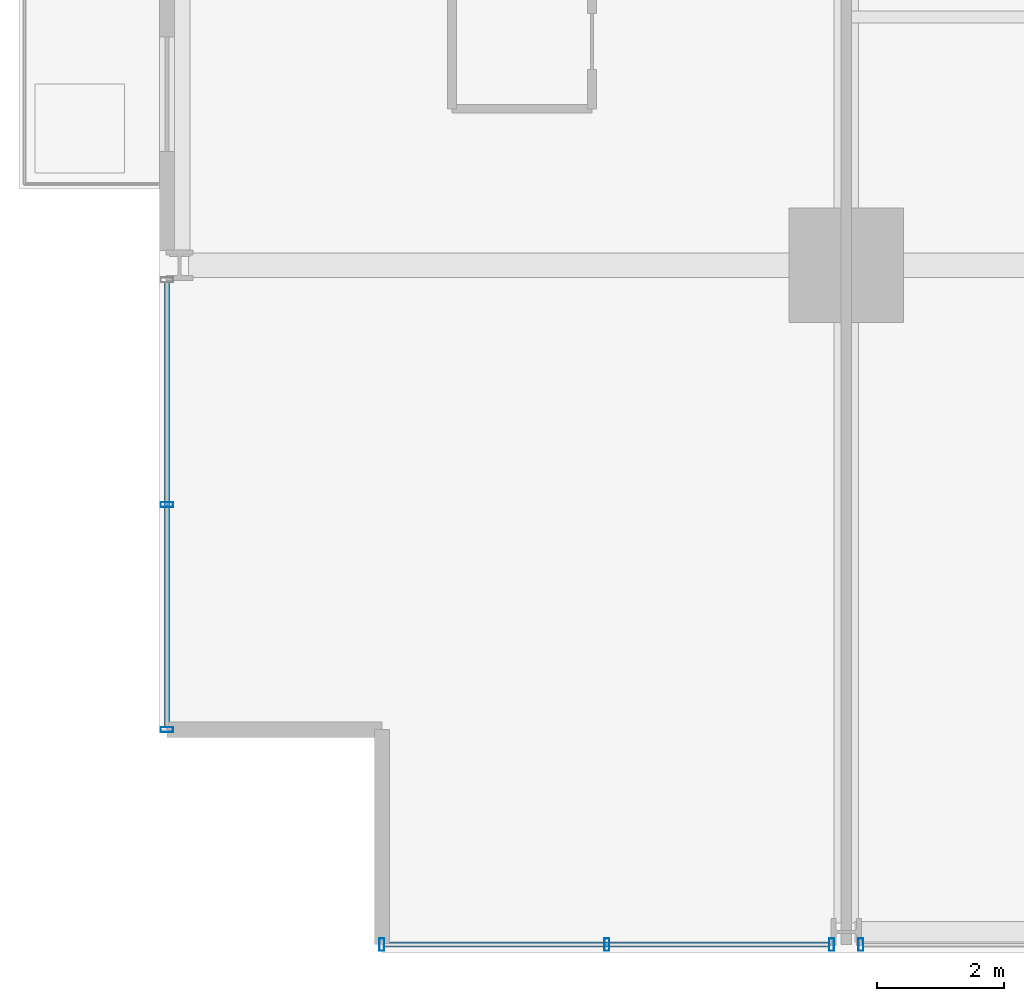
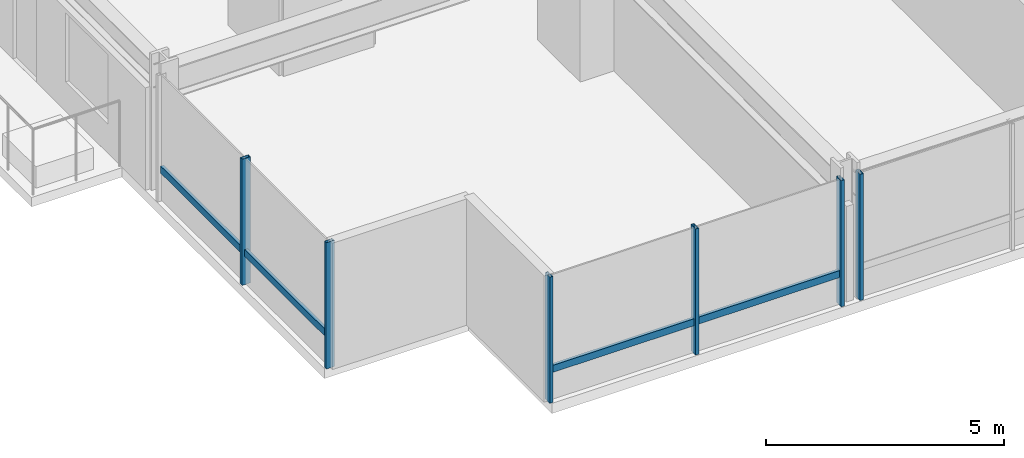
# One storey, part 2 of 37: 8 members, 3 elements without a shape of their own.
"""IFC4 building model written with IfcOpenShell, lengths in metres."""

from ifc_helpers import new_model, si_unit, direction, frame, origin, origin_2d, place, context, subcontext, project, spatial, hollow_rectangle, extrude, material, layer, layer_set, material_profile, profile_set, type_object, element, aggregate, save


model = new_model("IFC4")

# Units and contexts
model_context = context("Model", 3, precision=1e-05, world=origin(), true_north=direction((0.0, 1.0)))
body_context = subcontext(model_context, "Body", "Model", "MODEL_VIEW")
ifc_project = project(units=[si_unit("LENGTHUNIT", "METRE"), si_unit("AREAUNIT", "SQUARE_METRE"), si_unit("VOLUMEUNIT", "CUBIC_METRE"), si_unit("PLANEANGLEUNIT", "RADIAN"), si_unit("MASSUNIT", "GRAM", prefix="KILO")], contexts=[model_context])

# Site, building, storey
site_placement = place(None, origin())
site = spatial("IfcSite", under=ifc_project, at=site_placement, CompositionType="ELEMENT")
building_placement = place(site_placement, origin())
building = spatial("IfcBuilding", under=site, at=building_placement, Name="Drelvath Grand Hotel", CompositionType="ELEMENT")
storey_placement = place(building_placement, frame((0.0, 0.0, 75.199951171875)))
storey = spatial("IfcBuildingStorey", under=building, at=storey_placement, Name="L18", CompositionType="ELEMENT", Elevation=75.199951171875)

# Curtain wall, member
ifc_material = material(Name="Warm Bronze Anodised Aluminium Frame", Category="aluminium")
ifc_layer = layer(ifc_material, 0.199951171875)
ifc_layer_set = layer_set([ifc_layer], Name="Warm Bronze Anodised Aluminium Frame")
curtain_wall_type = type_object("IfcCurtainWallType", Name="Stick Curtain Wall CW-02 Warm Bronze Low-Rise", PredefinedType="NOTDEFINED", material=ifc_layer_set)
curtain_wall_1_placement = place(storey_placement, origin())
curtain_wall_1 = element("IfcCurtainWall", 1, at=curtain_wall_1_placement, inside=storey, type_object=curtain_wall_type, Name="L18 CW-02 Curtain Wall CW02-L18-WS1", PredefinedType="NOTDEFINED")
ifc_material_profile_1 = material_profile(ifc_material, hollow_rectangle(XDim=0.074951171875, YDim=0.179931640625, WallThickness=0.0048828125, at=origin_2d()), Name="HSS180X75X5")
ifc_profile_set_1 = profile_set([ifc_material_profile_1], Name="Warm Bronze Anodised Aluminium Frame")
member_type_1 = type_object("IfcMemberType", Name="Curtain Wall Horizontal Transom CW-02 HSS180X75X5", PredefinedType="USERDEFINED", material=ifc_profile_set_1)
member_1_placement = place(storey_placement, frame((-26.8798828125, 3.5400390625, 0.81005859375), z_axis=(0.0, 1.0, 0.0), x_axis=(-1.0, 0.0, 0.0)))
member_1 = element("IfcMember", 2, at=member_1_placement, type_object=member_type_1, Name="CW02-L18-WS1 Sill Transom", ObjectType="TRANSOM", PredefinedType="USERDEFINED", context=body_context, shape_type="SweptSolid", body=[
    extrude(hollow_rectangle(XDim=0.074951171875, YDim=0.179931640625, WallThickness=0.0048828125, at=origin_2d()), origin(), (0.0, 0.0, 1.0), 6.990966796875),
])

curtain_wall_2_placement = place(storey_placement, origin())
curtain_wall_2 = element("IfcCurtainWall", 3, at=curtain_wall_2_placement, inside=storey, type_object=curtain_wall_type, Name="L18 CW-02 Curtain Wall CW02-L18-SW1", PredefinedType="NOTDEFINED")
member_2_placement = place(storey_placement, frame((-16.468994140625, 0.1201171875, 0.81005859375), z_axis=(-1.0, 0.0, 0.0), x_axis=(0.0, -1.0, 0.0)))
member_2 = element("IfcMember", 4, at=member_2_placement, type_object=member_type_1, Name="CW02-L18-SW1 Sill Transom", ObjectType="TRANSOM", PredefinedType="USERDEFINED", context=body_context, shape_type="SweptSolid", body=[
    extrude(hollow_rectangle(XDim=0.074951171875, YDim=0.179931640625, WallThickness=0.0048828125, at=origin_2d()), origin(), (0.0, 0.0, 1.0), 6.990966796875),
])

# Member
ifc_material_profile_2 = material_profile(ifc_material, hollow_rectangle(XDim=0.080078125, YDim=0.199951171875, WallThickness=0.0048828125, at=origin_2d()), Name="HSS200X80X5")
ifc_profile_set_2 = profile_set([ifc_material_profile_2], Name="Warm Bronze Anodised Aluminium Frame")
member_type_2 = type_object("IfcMemberType", Name="Curtain Wall Vertical Mullion CW-02 HSS200X80X5", PredefinedType="MULLION", material=ifc_profile_set_2)
member_3_placement = place(storey_placement, frame((-26.8798828125, 3.5, 0.0), z_axis=(0.0, 0.0, 1.0), x_axis=(0.0, 1.0, 0.0)))
member_3 = element("IfcMember", 5, at=member_3_placement, type_object=member_type_2, Name="CW02-L18-WS1 Mullion 1", PredefinedType="MULLION", context=body_context, shape_type="SweptSolid", body=[
    extrude(hollow_rectangle(XDim=0.080078125, YDim=0.199951171875, WallThickness=0.0048828125, at=origin_2d()), origin(), (0.0, 0.0, 1.0), 3.239990234375),
])

member_4_placement = place(storey_placement, frame((-26.8798828125, 7.035400390625, 0.0), z_axis=(0.0, 0.0, 1.0), x_axis=(0.0, 1.0, 0.0)))
member_4 = element("IfcMember", 6, at=member_4_placement, type_object=member_type_2, Name="CW02-L18-WS1 Mullion 2", PredefinedType="MULLION", context=body_context, shape_type="SweptSolid", body=[
    extrude(hollow_rectangle(XDim=0.080078125, YDim=0.199951171875, WallThickness=0.0048828125, at=origin_2d()), origin(), (0.0, 0.0, 1.0), 3.239990234375),
])

aggregate(curtain_wall_1, [member_3, member_4, member_1])

member_5_placement = place(storey_placement, frame((-16.42919921875, 0.1201171875, 0.0), z_axis=(0.0, 0.0, 1.0), x_axis=(1.0, 0.0, 0.0)))
member_5 = element("IfcMember", 7, at=member_5_placement, type_object=member_type_2, Name="CW02-L18-SW1 Mullion 1", PredefinedType="MULLION", context=body_context, shape_type="SweptSolid", body=[
    extrude(hollow_rectangle(XDim=0.080078125, YDim=0.199951171875, WallThickness=0.0048828125, at=origin_2d()), origin(), (0.0, 0.0, 1.0), 3.239990234375),
])

member_6_placement = place(storey_placement, frame((-19.964599609375, 0.1201171875, 0.0), z_axis=(0.0, 0.0, 1.0), x_axis=(1.0, 0.0, 0.0)))
member_6 = element("IfcMember", 8, at=member_6_placement, type_object=member_type_2, Name="CW02-L18-SW1 Mullion 2", PredefinedType="MULLION", context=body_context, shape_type="SweptSolid", body=[
    extrude(hollow_rectangle(XDim=0.080078125, YDim=0.199951171875, WallThickness=0.0048828125, at=origin_2d()), origin(), (0.0, 0.0, 1.0), 3.239990234375),
])

member_7_placement = place(storey_placement, frame((-23.5, 0.1201171875, 0.0), z_axis=(0.0, 0.0, 1.0), x_axis=(1.0, 0.0, 0.0)))
member_7 = element("IfcMember", 9, at=member_7_placement, type_object=member_type_2, Name="CW02-L18-SW1 Mullion 3", PredefinedType="MULLION", context=body_context, shape_type="SweptSolid", body=[
    extrude(hollow_rectangle(XDim=0.080078125, YDim=0.199951171875, WallThickness=0.0048828125, at=origin_2d()), origin(), (0.0, 0.0, 1.0), 3.239990234375),
])

aggregate(curtain_wall_2, [member_5, member_6, member_7, member_2])

# Curtain wall, member
curtain_wall_3_placement = place(storey_placement, origin())
curtain_wall_3 = element("IfcCurtainWall", 10, at=curtain_wall_3_placement, inside=storey, type_object=curtain_wall_type, Name="L18 CW-02 Curtain Wall CW02-L18-SW2", PredefinedType="NOTDEFINED")
member_8_placement = place(storey_placement, frame((-15.970947265625, 0.1201171875, 0.0), z_axis=(0.0, 0.0, 1.0), x_axis=(1.0, 0.0, 0.0)))
member_8 = element("IfcMember", 11, at=member_8_placement, type_object=member_type_2, Name="CW02-L18-SW2 Mullion 3", PredefinedType="MULLION", context=body_context, shape_type="SweptSolid", body=[
    extrude(hollow_rectangle(XDim=0.080078125, YDim=0.199951171875, WallThickness=0.0048828125, at=origin_2d()), origin(), (0.0, 0.0, 1.0), 3.239990234375),
])
aggregate(curtain_wall_3, [member_8])

save(model, "model.ifc")
